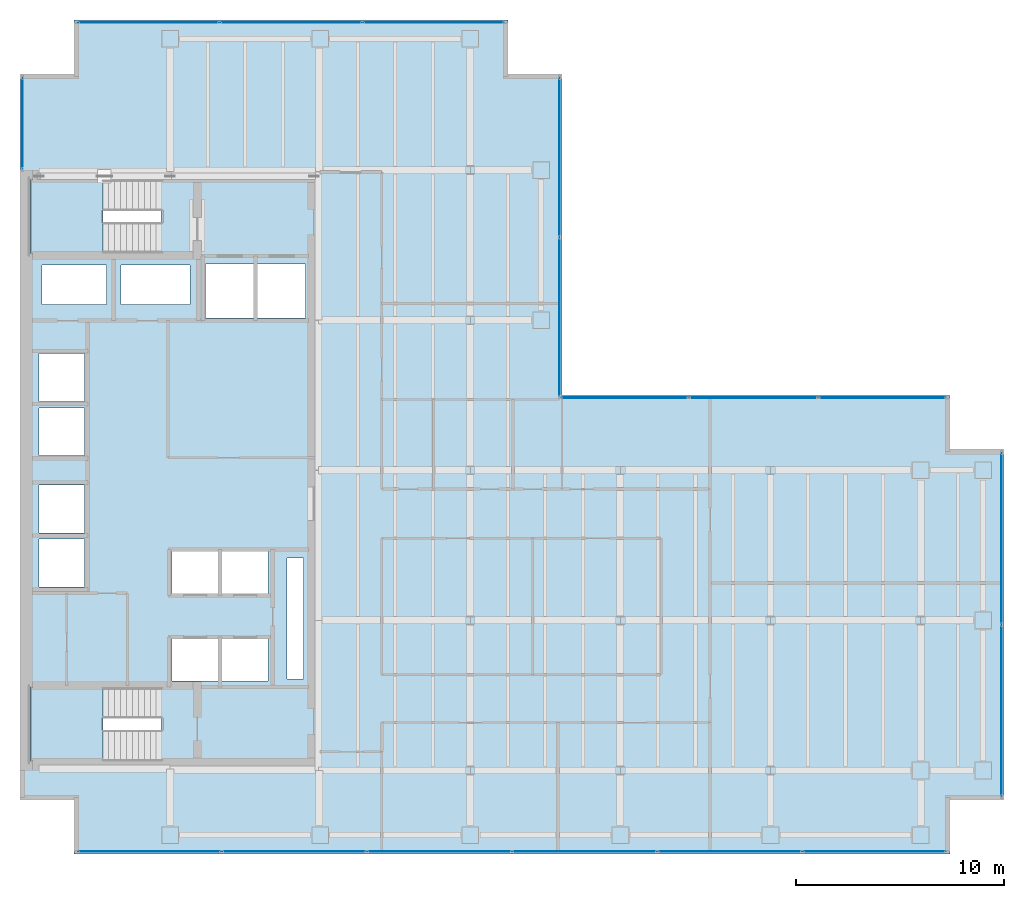
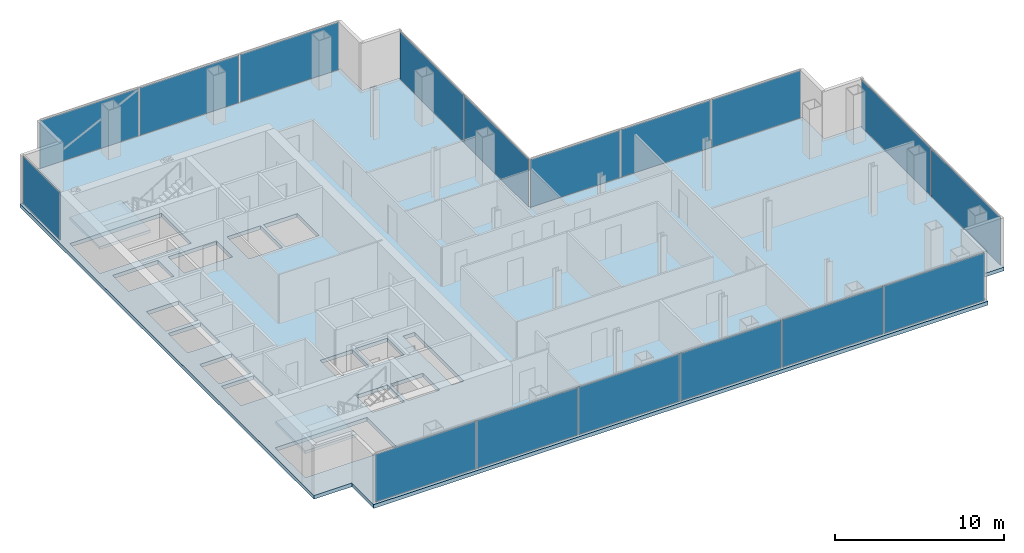
# One storey, part 19 of 23: 17 plates, 3 slabs, 15 openings, 8 elements without a shape of their own.
"""IFC4 building model written with IfcOpenShell, lengths in metres."""

from ifc_helpers import new_model, si_unit, direction, frame, origin, origin_2d, place, context, subcontext, project, spatial, polyline, rectangle, outline, extrude, material, layer, layer_set, type_object, element, aggregate, save


model = new_model("IFC4")

# Units and contexts
model_context = context("Model", 3, precision=1e-05, world=origin(), true_north=direction((0.0, 1.0)))
body_context = subcontext(model_context, "Body", "Model", "MODEL_VIEW")
ifc_project = project(units=[si_unit("LENGTHUNIT", "METRE"), si_unit("AREAUNIT", "SQUARE_METRE"), si_unit("VOLUMEUNIT", "CUBIC_METRE"), si_unit("PLANEANGLEUNIT", "RADIAN"), si_unit("MASSUNIT", "GRAM", prefix="KILO")], contexts=[model_context])

# Site, building, storey
site_placement = place(None, origin())
site = spatial("IfcSite", under=ifc_project, at=site_placement, CompositionType="ELEMENT")
building_placement = place(site_placement, origin())
building = spatial("IfcBuilding", under=site, at=building_placement, Name="Cobrela Telecom Tower", CompositionType="ELEMENT")
storey_placement = place(building_placement, frame((0.0, 0.0, 148.39990234375)))
storey = spatial("IfcBuildingStorey", under=building, at=storey_placement, Name="L37", CompositionType="ELEMENT", Elevation=148.39990234375)

# Curtain wall, plate
ifc_material_1 = material(Name="Anodized Bronze Aluminium 6063-T6", Category="aluminium")
curtain_wall_type = type_object("IfcCurtainWallType", Name="CW-SYS-TEL", PredefinedType="USERDEFINED", material=ifc_material_1)
curtain_wall_1_placement = place(storey_placement, origin())
curtain_wall_1 = element("IfcCurtainWall", 1, at=curtain_wall_1_placement, inside=storey, type_object=curtain_wall_type, Name="L37 Unitised Bronze Curtain Wall 04", ObjectType="UNITISED CURTAIN WALL", PredefinedType="USERDEFINED")
ifc_material_2 = material(Name="Solar-Control Bronze Low-E Glass", Category="glass")
ifc_layer_1 = layer(ifc_material_2, 0.035888671875)
ifc_layer_set_1 = layer_set([ifc_layer_1], Name="Solar-Control Bronze Low-E Glass")
plate_type = type_object("IfcPlateType", Name="CW-SYS-TEL-PNL", PredefinedType="CURTAIN_PANEL", material=ifc_layer_set_1)
plate_1_placement = place(storey_placement, frame((0.1201171875, 38.2451171875, 0.070068359375), z_axis=(0.0, 0.0, 1.0), x_axis=(0.0, 1.0, 0.0)))
plate_1 = element("IfcPlate", 2, at=plate_1_placement, type_object=plate_type, Name="CW-TEL panel 1.1", PredefinedType="CURTAIN_PANEL", context=body_context, shape_type="SweptSolid", body=[
    extrude(rectangle(XDim=4.340087890625, YDim=0.035888671875, at=origin_2d()), origin(), (0.0, 0.0, 1.0), 3.43994140625),
])
aggregate(curtain_wall_1, [plate_1])

# Curtain wall, plates
curtain_wall_2_placement = place(storey_placement, origin())
curtain_wall_2 = element("IfcCurtainWall", 3, at=curtain_wall_2_placement, inside=storey, type_object=curtain_wall_type, Name="L37 Unitised Bronze Curtain Wall 07", ObjectType="UNITISED CURTAIN WALL", PredefinedType="USERDEFINED")
plate_2_placement = place(storey_placement, frame((6.15869140625, 43.080078125, 0.070068359375), z_axis=(0.0, 0.0, 1.0), x_axis=(1.0, 0.0, 0.0)))
plate_2 = element("IfcPlate", 4, at=plate_2_placement, type_object=plate_type, Name="CW-TEL panel 1.1", PredefinedType="CURTAIN_PANEL", context=body_context, shape_type="SweptSolid", body=[
    extrude(rectangle(XDim=6.74755859375, YDim=0.035888671875, at=origin_2d()), origin(), (0.0, 0.0, 1.0), 3.43994140625),
])
plate_3_placement = place(storey_placement, frame((13.0, 43.080078125, 0.070068359375), z_axis=(0.0, 0.0, 1.0), x_axis=(1.0, 0.0, 0.0)))
plate_3 = element("IfcPlate", 5, at=plate_3_placement, type_object=plate_type, Name="CW-TEL panel 2.1", PredefinedType="CURTAIN_PANEL", context=body_context, shape_type="SweptSolid", body=[
    extrude(rectangle(XDim=6.784912109375, YDim=0.035888671875, at=origin_2d()), origin(), (0.0, 0.0, 1.0), 3.43994140625),
])
plate_4_placement = place(storey_placement, frame((19.84130859375, 43.080078125, 0.070068359375), z_axis=(0.0, 0.0, 1.0), x_axis=(1.0, 0.0, 0.0)))
plate_4 = element("IfcPlate", 6, at=plate_4_placement, type_object=plate_type, Name="CW-TEL panel 3.1", PredefinedType="CURTAIN_PANEL", context=body_context, shape_type="SweptSolid", body=[
    extrude(rectangle(XDim=6.74755859375, YDim=0.035888671875, at=origin_2d()), origin(), (0.0, 0.0, 1.0), 3.43994140625),
])
aggregate(curtain_wall_2, [plate_2, plate_3, plate_4])

curtain_wall_3_placement = place(storey_placement, origin())
curtain_wall_3 = element("IfcCurtainWall", 7, at=curtain_wall_3_placement, inside=storey, type_object=curtain_wall_type, Name="L37 Unitised Bronze Curtain Wall 10", ObjectType="UNITISED CURTAIN WALL", PredefinedType="USERDEFINED")
plate_5_placement = place(storey_placement, frame((25.8798828125, 36.61865234375, 0.070068359375), z_axis=(0.0, 0.0, 1.0), x_axis=(0.0, -1.0, 0.0)))
plate_5 = element("IfcPlate", 8, at=plate_5_placement, type_object=plate_type, Name="CW-TEL panel 1.1", PredefinedType="CURTAIN_PANEL", context=body_context, shape_type="SweptSolid", body=[
    extrude(rectangle(XDim=7.592529296875, YDim=0.035888671875, at=origin_2d()), origin(), (0.0, 0.0, 1.0), 3.43994140625),
])
plate_6_placement = place(storey_placement, frame((25.8798828125, 28.951171875, 0.070068359375), z_axis=(0.0, 0.0, 1.0), x_axis=(0.0, -1.0, 0.0)))
plate_6 = element("IfcPlate", 9, at=plate_6_placement, type_object=plate_type, Name="CW-TEL panel 2.1", PredefinedType="CURTAIN_PANEL", context=body_context, shape_type="SweptSolid", body=[
    extrude(rectangle(XDim=7.592529296875, YDim=0.035888671875, at=origin_2d()), origin(), (0.0, 0.0, 1.0), 3.43994140625),
])
aggregate(curtain_wall_3, [plate_5, plate_6])

curtain_wall_4_placement = place(storey_placement, origin())
curtain_wall_4 = element("IfcCurtainWall", 10, at=curtain_wall_4_placement, inside=storey, type_object=curtain_wall_type, Name="L37 Unitised Bronze Curtain Wall 11", ObjectType="UNITISED CURTAIN WALL", PredefinedType="USERDEFINED")
plate_7_placement = place(storey_placement, frame((29.00048828125, 25.080078125, 0.070068359375), z_axis=(0.0, 0.0, 1.0), x_axis=(1.0, 0.0, 0.0)))
plate_7 = element("IfcPlate", 11, at=plate_7_placement, type_object=plate_type, Name="CW-TEL panel 1.1", PredefinedType="CURTAIN_PANEL", context=body_context, shape_type="SweptSolid", body=[
    extrude(rectangle(XDim=6.0908203125, YDim=0.035888671875, at=origin_2d()), origin(), (0.0, 0.0, 1.0), 3.43994140625),
])
plate_8_placement = place(storey_placement, frame((35.18505859375, 25.080078125, 0.070068359375), z_axis=(0.0, 0.0, 1.0), x_axis=(1.0, 0.0, 0.0)))
plate_8 = element("IfcPlate", 12, at=plate_8_placement, type_object=plate_type, Name="CW-TEL panel 2.1", PredefinedType="CURTAIN_PANEL", context=body_context, shape_type="SweptSolid", body=[
    extrude(rectangle(XDim=6.12841796875, YDim=0.035888671875, at=origin_2d()), origin(), (0.0, 0.0, 1.0), 3.43994140625),
])
plate_9_placement = place(storey_placement, frame((41.36962890625, 25.080078125, 0.070068359375), z_axis=(0.0, 0.0, 1.0), x_axis=(1.0, 0.0, 0.0)))
plate_9 = element("IfcPlate", 13, at=plate_9_placement, type_object=plate_type, Name="CW-TEL panel 3.1", PredefinedType="CURTAIN_PANEL", context=body_context, shape_type="SweptSolid", body=[
    extrude(rectangle(XDim=6.0908203125, YDim=0.035888671875, at=origin_2d()), origin(), (0.0, 0.0, 1.0), 3.43994140625),
])
aggregate(curtain_wall_4, [plate_7, plate_8, plate_9])

curtain_wall_5_placement = place(storey_placement, origin())
curtain_wall_5 = element("IfcCurtainWall", 14, at=curtain_wall_5_placement, inside=storey, type_object=curtain_wall_type, Name="L37 Unitised Bronze Curtain Wall 14", ObjectType="UNITISED CURTAIN WALL", PredefinedType="USERDEFINED")
plate_10_placement = place(storey_placement, frame((47.080078125, 18.326171875, 0.070068359375), z_axis=(0.0, 0.0, 1.0), x_axis=(0.0, -1.0, 0.0)))
plate_10 = element("IfcPlate", 15, at=plate_10_placement, type_object=plate_type, Name="CW-TEL panel 1.1", PredefinedType="CURTAIN_PANEL", context=body_context, shape_type="SweptSolid", body=[
    extrude(rectangle(XDim=8.177490234375, YDim=0.035888671875, at=origin_2d()), origin(), (0.0, 0.0, 1.0), 3.43994140625),
])
plate_11_placement = place(storey_placement, frame((47.080078125, 10.07373046875, 0.070068359375), z_axis=(0.0, 0.0, 1.0), x_axis=(0.0, -1.0, 0.0)))
plate_11 = element("IfcPlate", 16, at=plate_11_placement, type_object=plate_type, Name="CW-TEL panel 2.1", PredefinedType="CURTAIN_PANEL", context=body_context, shape_type="SweptSolid", body=[
    extrude(rectangle(XDim=8.177490234375, YDim=0.035888671875, at=origin_2d()), origin(), (0.0, 0.0, 1.0), 3.43994140625),
])
aggregate(curtain_wall_5, [plate_10, plate_11])

curtain_wall_6_placement = place(storey_placement, origin())
curtain_wall_6 = element("IfcCurtainWall", 17, at=curtain_wall_6_placement, inside=storey, type_object=curtain_wall_type, Name="L37 Unitised Bronze Curtain Wall 17", ObjectType="UNITISED CURTAIN WALL", PredefinedType="USERDEFINED")
plate_12_placement = place(storey_placement, frame((40.989501953125, 3.320068359375, 0.070068359375), z_axis=(0.0, 0.0, 1.0), x_axis=(-1.0, 0.0, 0.0)))
plate_12 = element("IfcPlate", 18, at=plate_12_placement, type_object=plate_type, Name="CW-TEL panel 1.1", PredefinedType="CURTAIN_PANEL", context=body_context, shape_type="SweptSolid", body=[
    extrude(rectangle(XDim=6.850830078125, YDim=0.035888671875, at=origin_2d()), origin(), (0.0, 0.0, 1.0), 3.43994140625),
])
plate_13_placement = place(storey_placement, frame((34.044921875, 3.320068359375, 0.070068359375), z_axis=(0.0, 0.0, 1.0), x_axis=(-1.0, 0.0, 0.0)))
plate_13 = element("IfcPlate", 19, at=plate_13_placement, type_object=plate_type, Name="CW-TEL panel 2.1", PredefinedType="CURTAIN_PANEL", context=body_context, shape_type="SweptSolid", body=[
    extrude(rectangle(XDim=6.888427734375, YDim=0.035888671875, at=origin_2d()), origin(), (0.0, 0.0, 1.0), 3.43994140625),
])
plate_14_placement = place(storey_placement, frame((27.081787109375, 3.320068359375, 0.070068359375), z_axis=(0.0, 0.0, 1.0), x_axis=(-1.0, 0.0, 0.0)))
plate_14 = element("IfcPlate", 20, at=plate_14_placement, type_object=plate_type, Name="CW-TEL panel 3.1", PredefinedType="CURTAIN_PANEL", context=body_context, shape_type="SweptSolid", body=[
    extrude(rectangle(XDim=6.888427734375, YDim=0.035888671875, at=origin_2d()), origin(), (0.0, 0.0, 1.0), 3.43994140625),
])
plate_15_placement = place(storey_placement, frame((20.118408203125, 3.320068359375, 0.070068359375), z_axis=(0.0, 0.0, 1.0), x_axis=(-1.0, 0.0, 0.0)))
plate_15 = element("IfcPlate", 21, at=plate_15_placement, type_object=plate_type, Name="CW-TEL panel 4.1", PredefinedType="CURTAIN_PANEL", context=body_context, shape_type="SweptSolid", body=[
    extrude(rectangle(XDim=6.888427734375, YDim=0.035888671875, at=origin_2d()), origin(), (0.0, 0.0, 1.0), 3.43994140625),
])
plate_16_placement = place(storey_placement, frame((13.155029296875, 3.320068359375, 0.070068359375), z_axis=(0.0, 0.0, 1.0), x_axis=(-1.0, 0.0, 0.0)))
plate_16 = element("IfcPlate", 22, at=plate_16_placement, type_object=plate_type, Name="CW-TEL panel 5.1", PredefinedType="CURTAIN_PANEL", context=body_context, shape_type="SweptSolid", body=[
    extrude(rectangle(XDim=6.888427734375, YDim=0.035888671875, at=origin_2d()), origin(), (0.0, 0.0, 1.0), 3.43994140625),
])
plate_17_placement = place(storey_placement, frame((6.21044921875, 3.320068359375, 0.070068359375), z_axis=(0.0, 0.0, 1.0), x_axis=(-1.0, 0.0, 0.0)))
plate_17 = element("IfcPlate", 23, at=plate_17_placement, type_object=plate_type, Name="CW-TEL panel 6.1", PredefinedType="CURTAIN_PANEL", context=body_context, shape_type="SweptSolid", body=[
    extrude(rectangle(XDim=6.850830078125, YDim=0.035888671875, at=origin_2d()), origin(), (0.0, 0.0, 1.0), 3.43994140625),
])
aggregate(curtain_wall_6, [plate_12, plate_13, plate_14, plate_15, plate_16, plate_17])

# Slab, openings
ifc_material_3 = material(Name="Concrete C40/50", Category="concrete")
ifc_layer_2 = layer(ifc_material_3, 0.27001953125)
ifc_layer_set_2 = layer_set([ifc_layer_2], Name="Concrete C40/50")
slab_type_1 = type_object("IfcSlabType", Name="SLAB-FLR-270", PredefinedType="FLOOR", material=ifc_layer_set_2)
slab_1_placement = place(storey_placement, frame((0.0, 0.0, -0.27001953125)))
slab_1 = element("IfcSlab", 24, at=slab_1_placement, inside=storey, type_object=slab_type_1, Name="L37 Structural Floor Slab", PredefinedType="FLOOR", context=body_context, shape_type="SweptSolid", body=[
    extrude(outline(polyline([(2.590087890625, 3.199951171875), (44.610107421875, 3.199951171875), (44.610107421875, 5.7900390625), (47.199951171875, 5.7900390625), (47.199951171875, 22.610107421875), (44.610107421875, 22.610107421875), (44.610107421875, 25.199951171875), (26.0, 25.199951171875), (26.0, 40.610107421875), (23.409912109375, 40.610107421875), (23.409912109375, 43.199951171875), (2.590087890625, 43.199951171875), (2.590087890625, 40.610107421875), (0.0, 40.610107421875), (0.0, 5.7900390625), (2.590087890625, 5.7900390625), (2.590087890625, 3.199951171875)])), origin(), (0.0, 0.0, 1.0), 0.27001953125),
])
opening_1_placement = place(slab_1_placement, frame((0.0, 0.0, -0.02001953125)))
element("IfcOpeningElement", 25, at=opening_1_placement, cuts=slab_1, Name="Slab Shaft Opening SLAB-L37-MAIN.1", PredefinedType="OPENING", context=body_context, shape_type="SweptSolid", body=[
    extrude(outline(polyline([(8.89990234375, 28.89990234375), (11.199951171875, 28.89990234375), (11.199951171875, 31.5), (8.89990234375, 31.5), (8.89990234375, 28.89990234375)])), origin(), (0.0, 0.0, 1.0), 0.31005859375),
])
opening_2_placement = place(slab_1_placement, frame((0.0, 0.0, -0.02001953125)))
element("IfcOpeningElement", 26, at=opening_2_placement, cuts=slab_1, Name="Slab Shaft Opening SLAB-L37-MAIN.2", PredefinedType="OPENING", context=body_context, shape_type="SweptSolid", body=[
    extrude(outline(polyline([(11.39990234375, 28.89990234375), (13.699951171875, 28.89990234375), (13.699951171875, 31.5), (11.39990234375, 31.5), (11.39990234375, 28.89990234375)])), origin(), (0.0, 0.0, 1.0), 0.31005859375),
])
opening_3_placement = place(slab_1_placement, frame((0.0, 0.0, -0.02001953125)))
element("IfcOpeningElement", 27, at=opening_3_placement, cuts=slab_1, Name="Slab Shaft Opening SLAB-L37-MAIN.3", PredefinedType="OPENING", context=body_context, shape_type="SweptSolid", body=[
    extrude(outline(polyline([(7.300048828125, 15.699951171875), (9.5, 15.699951171875), (9.5, 17.699951171875), (7.300048828125, 17.699951171875), (7.300048828125, 15.699951171875)])), origin(), (0.0, 0.0, 1.0), 0.31005859375),
])
opening_4_placement = place(slab_1_placement, frame((0.0, 0.0, -0.02001953125)))
element("IfcOpeningElement", 28, at=opening_4_placement, cuts=slab_1, Name="Slab Shaft Opening SLAB-L37-MAIN.4", PredefinedType="OPENING", context=body_context, shape_type="SweptSolid", body=[
    extrude(outline(polyline([(9.699951171875, 15.699951171875), (11.89990234375, 15.699951171875), (11.89990234375, 17.699951171875), (9.699951171875, 17.699951171875), (9.699951171875, 15.699951171875)])), origin(), (0.0, 0.0, 1.0), 0.31005859375),
])
opening_5_placement = place(slab_1_placement, frame((0.0, 0.0, -0.02001953125)))
element("IfcOpeningElement", 29, at=opening_5_placement, cuts=slab_1, Name="Slab Shaft Opening SLAB-L37-MAIN.5", PredefinedType="OPENING", context=body_context, shape_type="SweptSolid", body=[
    extrude(outline(polyline([(7.300048828125, 11.5), (9.5, 11.5), (9.5, 13.5), (7.300048828125, 13.5), (7.300048828125, 11.5)])), origin(), (0.0, 0.0, 1.0), 0.31005859375),
])
opening_6_placement = place(slab_1_placement, frame((0.0, 0.0, -0.02001953125)))
element("IfcOpeningElement", 30, at=opening_6_placement, cuts=slab_1, Name="Slab Shaft Opening SLAB-L37-MAIN.6", PredefinedType="OPENING", context=body_context, shape_type="SweptSolid", body=[
    extrude(outline(polyline([(9.699951171875, 11.5), (11.89990234375, 11.5), (11.89990234375, 13.5), (9.699951171875, 13.5), (9.699951171875, 11.5)])), origin(), (0.0, 0.0, 1.0), 0.31005859375),
])
opening_7_placement = place(slab_1_placement, frame((0.0, 0.0, -0.02001953125)))
element("IfcOpeningElement", 31, at=opening_7_placement, cuts=slab_1, Name="Slab Shaft Opening SLAB-L37-MAIN.7", PredefinedType="OPENING", context=body_context, shape_type="SweptSolid", body=[
    extrude(outline(polyline([(0.89990234375, 16.0), (3.10009765625, 16.0), (3.10009765625, 18.300048828125), (0.89990234375, 18.300048828125), (0.89990234375, 16.0)])), origin(), (0.0, 0.0, 1.0), 0.31005859375),
])
opening_8_placement = place(slab_1_placement, frame((0.0, 0.0, -0.02001953125)))
element("IfcOpeningElement", 32, at=opening_8_placement, cuts=slab_1, Name="Slab Shaft Opening SLAB-L37-MAIN.8", PredefinedType="OPENING", context=body_context, shape_type="SweptSolid", body=[
    extrude(outline(polyline([(0.89990234375, 18.60009765625), (3.10009765625, 18.60009765625), (3.10009765625, 20.89990234375), (0.89990234375, 20.89990234375), (0.89990234375, 18.60009765625)])), origin(), (0.0, 0.0, 1.0), 0.31005859375),
])
opening_9_placement = place(slab_1_placement, frame((0.0, 0.0, -0.02001953125)))
element("IfcOpeningElement", 33, at=opening_9_placement, cuts=slab_1, Name="Slab Shaft Opening SLAB-L37-MAIN.9", PredefinedType="OPENING", context=body_context, shape_type="SweptSolid", body=[
    extrude(outline(polyline([(0.89990234375, 22.300048828125), (3.10009765625, 22.300048828125), (3.10009765625, 24.60009765625), (0.89990234375, 24.60009765625), (0.89990234375, 22.300048828125)])), origin(), (0.0, 0.0, 1.0), 0.31005859375),
])
opening_10_placement = place(slab_1_placement, frame((0.0, 0.0, -0.02001953125)))
element("IfcOpeningElement", 34, at=opening_10_placement, cuts=slab_1, Name="Slab Shaft Opening SLAB-L37-MAIN.10", PredefinedType="OPENING", context=body_context, shape_type="SweptSolid", body=[
    extrude(outline(polyline([(0.89990234375, 24.89990234375), (3.10009765625, 24.89990234375), (3.10009765625, 27.199951171875), (0.89990234375, 27.199951171875), (0.89990234375, 24.89990234375)])), origin(), (0.0, 0.0, 1.0), 0.31005859375),
])
opening_11_placement = place(slab_1_placement, frame((0.0, 0.0, -0.02001953125)))
element("IfcOpeningElement", 35, at=opening_11_placement, cuts=slab_1, Name="Slab Shaft Opening SLAB-L37-MAIN.11", PredefinedType="OPENING", context=body_context, shape_type="SweptSolid", body=[
    extrude(outline(polyline([(1.050048828125, 29.550048828125), (4.14990234375, 29.550048828125), (4.14990234375, 31.449951171875), (1.050048828125, 31.449951171875), (1.050048828125, 29.550048828125)])), origin(), (0.0, 0.0, 1.0), 0.31005859375),
])
opening_12_placement = place(slab_1_placement, frame((0.0, 0.0, -0.02001953125)))
element("IfcOpeningElement", 36, at=opening_12_placement, cuts=slab_1, Name="Slab Shaft Opening SLAB-L37-MAIN.12", PredefinedType="OPENING", context=body_context, shape_type="SweptSolid", body=[
    extrude(outline(polyline([(4.85009765625, 29.550048828125), (8.14990234375, 29.550048828125), (8.14990234375, 31.449951171875), (4.85009765625, 31.449951171875), (4.85009765625, 29.550048828125)])), origin(), (0.0, 0.0, 1.0), 0.31005859375),
])
opening_13_placement = place(slab_1_placement, frame((0.0, 0.0, -0.02001953125)))
element("IfcOpeningElement", 37, at=opening_13_placement, cuts=slab_1, Name="Slab Shaft Opening SLAB-L37-MAIN.13", PredefinedType="OPENING", context=body_context, shape_type="SweptSolid", body=[
    extrude(outline(polyline([(12.800048828125, 11.60009765625), (13.60009765625, 11.60009765625), (13.60009765625, 17.39990234375), (12.800048828125, 17.39990234375), (12.800048828125, 11.60009765625)])), origin(), (0.0, 0.0, 1.0), 0.31005859375),
])
opening_14_placement = place(slab_1_placement, frame((0.0, 0.0, -0.02001953125)))
element("IfcOpeningElement", 38, at=opening_14_placement, cuts=slab_1, Name="Slab Shaft Opening SLAB-L37-MAIN.14", PredefinedType="OPENING", context=body_context, shape_type="SweptSolid", body=[
    extrude(outline(polyline([(6.7548828125, 35.550048828125), (0.47998046875, 35.550048828125), (0.47998046875, 32.0), (6.7548828125, 32.0), (6.7548828125, 35.550048828125)])), origin(), (0.0, 0.0, 1.0), 0.31005859375),
])
opening_15_placement = place(slab_1_placement, frame((0.0, 0.0, -0.02001953125)))
element("IfcOpeningElement", 39, at=opening_15_placement, cuts=slab_1, Name="Slab Shaft Opening SLAB-L37-MAIN.15", PredefinedType="OPENING", context=body_context, shape_type="SweptSolid", body=[
    extrude(outline(polyline([(6.7548828125, 11.199951171875), (0.47998046875, 11.199951171875), (0.47998046875, 7.64990234375), (6.7548828125, 7.64990234375), (6.7548828125, 11.199951171875)])), origin(), (0.0, 0.0, 1.0), 0.31005859375),
])

# Stair, slab
stair_type = type_object("IfcStairType", Name="STAIR-CORE", PredefinedType="HALF_TURN_STAIR", material=ifc_material_3)
stair_1_placement = place(storey_placement, origin())
stair_1 = element("IfcStair", 40, at=stair_1_placement, inside=storey, type_object=stair_type, Name="L37 Smokeproof Exit Stair ST1", PredefinedType="HALF_TURN_STAIR")
ifc_layer_3 = layer(ifc_material_3, 0.199951171875)
ifc_layer_set_3 = layer_set([ifc_layer_3], Name="Concrete C40/50")
slab_type_2 = type_object("IfcSlabType", Name="SLAB-LAND-200", PredefinedType="LANDING", material=ifc_layer_set_3)
slab_2_placement = place(storey_placement, frame((0.0, 0.0, 1.72509765625)))
slab_2 = element("IfcSlab", 41, at=slab_2_placement, type_object=slab_type_2, Name="ST1 landing 1", PredefinedType="LANDING", context=body_context, shape_type="SweptSolid", body=[
    extrude(outline(polyline([(3.969970703125, 35.550048828125), (0.47998046875, 35.550048828125), (0.47998046875, 32.0), (3.969970703125, 32.0), (3.969970703125, 35.550048828125)])), origin(), (0.0, 0.0, 1.0), 0.199951171875),
])
aggregate(stair_1, [slab_2])

stair_2_placement = place(storey_placement, origin())
stair_2 = element("IfcStair", 42, at=stair_2_placement, inside=storey, type_object=stair_type, Name="L37 Smokeproof Exit Stair ST2", PredefinedType="HALF_TURN_STAIR")
slab_3_placement = place(storey_placement, frame((0.0, 0.0, 1.72509765625)))
slab_3 = element("IfcSlab", 43, at=slab_3_placement, type_object=slab_type_2, Name="ST2 landing 1", PredefinedType="LANDING", context=body_context, shape_type="SweptSolid", body=[
    extrude(outline(polyline([(3.969970703125, 11.199951171875), (0.47998046875, 11.199951171875), (0.47998046875, 7.64990234375), (3.969970703125, 7.64990234375), (3.969970703125, 11.199951171875)])), origin(), (0.0, 0.0, 1.0), 0.199951171875),
])
aggregate(stair_2, [slab_3])

save(model, "model.ifc")
